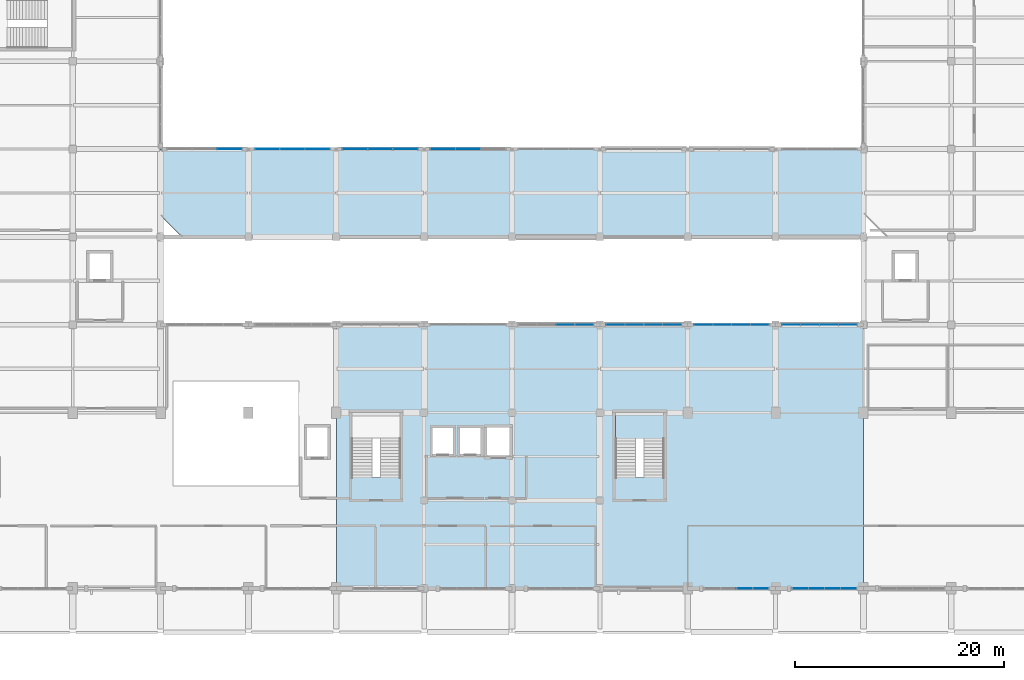
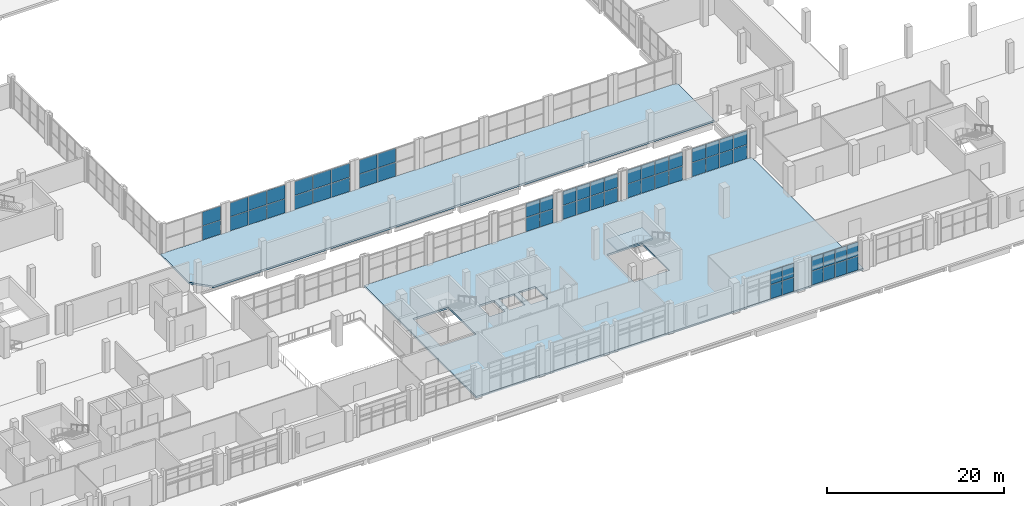
# One storey, part 42 of 59: 58 plates, 3 slabs, 11 elements without a shape of their own.
"""IFC4 building model written with IfcOpenShell, lengths in metres."""

from ifc_helpers import new_model, si_unit, derived_unit, direction, frame, origin, origin_2d, place, context, subcontext, project, spatial, polyline, rectangle, outline, extrude, material, layer, layer_set, type_object, element, aggregate, save


model = new_model("IFC4")

# Units and contexts
model_context = context("Model", 3, precision=1e-05, world=origin(), true_north=direction((0.0, 1.0)))
body_context = subcontext(model_context, "Body", "Model", "MODEL_VIEW")
ifc_project = project(units=[si_unit("LENGTHUNIT", "METRE"), si_unit("AREAUNIT", "SQUARE_METRE"), si_unit("VOLUMEUNIT", "CUBIC_METRE"), si_unit("PLANEANGLEUNIT", "RADIAN"), si_unit("MASSUNIT", "GRAM", prefix="KILO"), derived_unit("THERMALTRANSMITTANCEUNIT", [(si_unit("POWERUNIT", "WATT"), 1), (si_unit("LENGTHUNIT", "METRE"), -2), (si_unit("THERMODYNAMICTEMPERATUREUNIT", "KELVIN"), -1)])], contexts=[model_context])

# Site, building, storey
site_placement = place(None, origin())
site = spatial("IfcSite", under=ifc_project, at=site_placement, CompositionType="ELEMENT")
building_placement = place(site_placement, origin())
building = spatial("IfcBuilding", under=site, at=building_placement, Name="Barrovel Congress Hotel", CompositionType="ELEMENT")
storey_placement = place(building_placement, frame((0.0, 0.0, 9.89990234375)))
storey = spatial("IfcBuildingStorey", under=building, at=storey_placement, Name="L02", CompositionType="ELEMENT", Elevation=9.89990234375)

# Curtain wall, plates
ifc_material_1 = material(Name="Anodised Aluminium Alloy 6063-T6", Category="aluminium")
curtain_wall_type = type_object("IfcCurtainWallType", Name="CW-ST-7200x3600", PredefinedType="USERDEFINED", material=ifc_material_1)
curtain_wall_1_placement = place(storey_placement, origin())
curtain_wall_1 = element("IfcCurtainWall", 1, at=curtain_wall_1_placement, inside=storey, type_object=curtain_wall_type, Name="CW:L02:S:13", ObjectType="STICK CURTAIN WALL", PredefinedType="USERDEFINED")
ifc_material_2 = material(Name="Double Low-E Insulated Glazing", Category="glass")
ifc_layer_1 = layer(ifc_material_2, 0.028076171875)
ifc_layer_set_1 = layer_set([ifc_layer_1], Name="Double Low-E Insulated Glazing")
plate_type_1 = type_object("IfcPlateType", Name="CWP-28", PredefinedType="CURTAIN_PANEL", material=ifc_layer_set_1)
plate_1_placement = place(storey_placement, frame((114.64501953125, 4.199951171875, 0.030029296875), z_axis=(0.0, 0.0, 1.0), x_axis=(1.0, 0.0, 0.0)))
plate_1 = element("IfcPlate", 2, at=plate_1_placement, type_object=plate_type_1, Name="CW:L02:S:13:P2-0", PredefinedType="CURTAIN_PANEL", context=body_context, shape_type="SweptSolid", body=[
    extrude(rectangle(XDim=1.469970703125, YDim=0.028076171875, at=origin_2d()), origin(), (0.0, 0.0, 1.0), 1.89990234375),
])
plate_2_placement = place(storey_placement, frame((114.64501953125, 4.199951171875, 1.990234375), z_axis=(0.0, 0.0, 1.0), x_axis=(1.0, 0.0, 0.0)))
plate_2 = element("IfcPlate", 3, at=plate_2_placement, type_object=plate_type_1, Name="CW:L02:S:13:P2-1", PredefinedType="CURTAIN_PANEL", context=body_context, shape_type="SweptSolid", body=[
    extrude(rectangle(XDim=1.469970703125, YDim=0.028076171875, at=origin_2d()), origin(), (0.0, 0.0, 1.0), 1.89990234375),
])
plate_3_placement = place(storey_placement, frame((116.175048828125, 4.199951171875, 0.030029296875), z_axis=(0.0, 0.0, 1.0), x_axis=(1.0, 0.0, 0.0)))
plate_3 = element("IfcPlate", 4, at=plate_3_placement, type_object=plate_type_1, Name="CW:L02:S:13:P3-0", PredefinedType="CURTAIN_PANEL", context=body_context, shape_type="SweptSolid", body=[
    extrude(rectangle(XDim=1.469970703125, YDim=0.028076171875, at=origin_2d()), origin(), (0.0, 0.0, 1.0), 1.89990234375),
])
plate_4_placement = place(storey_placement, frame((116.175048828125, 4.199951171875, 1.990234375), z_axis=(0.0, 0.0, 1.0), x_axis=(1.0, 0.0, 0.0)))
plate_4 = element("IfcPlate", 5, at=plate_4_placement, type_object=plate_type_1, Name="CW:L02:S:13:P3-1", PredefinedType="CURTAIN_PANEL", context=body_context, shape_type="SweptSolid", body=[
    extrude(rectangle(XDim=1.469970703125, YDim=0.028076171875, at=origin_2d()), origin(), (0.0, 0.0, 1.0), 1.89990234375),
])
aggregate(curtain_wall_1, [plate_1, plate_2, plate_3, plate_4])

curtain_wall_2_placement = place(storey_placement, origin())
curtain_wall_2 = element("IfcCurtainWall", 6, at=curtain_wall_2_placement, inside=storey, type_object=curtain_wall_type, Name="CW:L02:CS:14", ObjectType="STICK CURTAIN WALL", PredefinedType="USERDEFINED")
plate_5_placement = place(storey_placement, frame((124.5, 29.39990234375, 0.030029296875), z_axis=(0.0, 0.0, 1.0), x_axis=(-1.0, 0.0, 0.0)))
plate_5 = element("IfcPlate", 7, at=plate_5_placement, type_object=plate_type_1, Name="CW:L02:CS:14:P0-0", PredefinedType="CURTAIN_PANEL", context=body_context, shape_type="SweptSolid", body=[
    extrude(rectangle(XDim=1.739990234375, YDim=0.028076171875, at=origin_2d()), origin(), (0.0, 0.0, 1.0), 1.89990234375),
])
plate_6_placement = place(storey_placement, frame((124.5, 29.39990234375, 1.990234375), z_axis=(0.0, 0.0, 1.0), x_axis=(-1.0, 0.0, 0.0)))
plate_6 = element("IfcPlate", 8, at=plate_6_placement, type_object=plate_type_1, Name="CW:L02:CS:14:P0-1", PredefinedType="CURTAIN_PANEL", context=body_context, shape_type="SweptSolid", body=[
    extrude(rectangle(XDim=1.739990234375, YDim=0.028076171875, at=origin_2d()), origin(), (0.0, 0.0, 1.0), 1.89990234375),
])
plate_7_placement = place(storey_placement, frame((122.699951171875, 29.39990234375, 0.030029296875), z_axis=(0.0, 0.0, 1.0), x_axis=(-1.0, 0.0, 0.0)))
plate_7 = element("IfcPlate", 9, at=plate_7_placement, type_object=plate_type_1, Name="CW:L02:CS:14:P1-0", PredefinedType="CURTAIN_PANEL", context=body_context, shape_type="SweptSolid", body=[
    extrude(rectangle(XDim=1.739990234375, YDim=0.028076171875, at=origin_2d()), origin(), (0.0, 0.0, 1.0), 1.89990234375),
])
plate_8_placement = place(storey_placement, frame((122.699951171875, 29.39990234375, 1.990234375), z_axis=(0.0, 0.0, 1.0), x_axis=(-1.0, 0.0, 0.0)))
plate_8 = element("IfcPlate", 10, at=plate_8_placement, type_object=plate_type_1, Name="CW:L02:CS:14:P1-1", PredefinedType="CURTAIN_PANEL", context=body_context, shape_type="SweptSolid", body=[
    extrude(rectangle(XDim=1.739990234375, YDim=0.028076171875, at=origin_2d()), origin(), (0.0, 0.0, 1.0), 1.89990234375),
])
plate_9_placement = place(storey_placement, frame((120.89990234375, 29.39990234375, 0.030029296875), z_axis=(0.0, 0.0, 1.0), x_axis=(-1.0, 0.0, 0.0)))
plate_9 = element("IfcPlate", 11, at=plate_9_placement, type_object=plate_type_1, Name="CW:L02:CS:14:P2-0", PredefinedType="CURTAIN_PANEL", context=body_context, shape_type="SweptSolid", body=[
    extrude(rectangle(XDim=1.739990234375, YDim=0.028076171875, at=origin_2d()), origin(), (0.0, 0.0, 1.0), 1.89990234375),
])
plate_10_placement = place(storey_placement, frame((120.89990234375, 29.39990234375, 1.990234375), z_axis=(0.0, 0.0, 1.0), x_axis=(-1.0, 0.0, 0.0)))
plate_10 = element("IfcPlate", 12, at=plate_10_placement, type_object=plate_type_1, Name="CW:L02:CS:14:P2-1", PredefinedType="CURTAIN_PANEL", context=body_context, shape_type="SweptSolid", body=[
    extrude(rectangle(XDim=1.739990234375, YDim=0.028076171875, at=origin_2d()), origin(), (0.0, 0.0, 1.0), 1.89990234375),
])
plate_11_placement = place(storey_placement, frame((119.10009765625, 29.39990234375, 0.030029296875), z_axis=(0.0, 0.0, 1.0), x_axis=(-1.0, 0.0, 0.0)))
plate_11 = element("IfcPlate", 13, at=plate_11_placement, type_object=plate_type_1, Name="CW:L02:CS:14:P3-0", PredefinedType="CURTAIN_PANEL", context=body_context, shape_type="SweptSolid", body=[
    extrude(rectangle(XDim=1.739990234375, YDim=0.028076171875, at=origin_2d()), origin(), (0.0, 0.0, 1.0), 1.89990234375),
])
plate_12_placement = place(storey_placement, frame((119.10009765625, 29.39990234375, 1.990234375), z_axis=(0.0, 0.0, 1.0), x_axis=(-1.0, 0.0, 0.0)))
plate_12 = element("IfcPlate", 14, at=plate_12_placement, type_object=plate_type_1, Name="CW:L02:CS:14:P3-1", PredefinedType="CURTAIN_PANEL", context=body_context, shape_type="SweptSolid", body=[
    extrude(rectangle(XDim=1.739990234375, YDim=0.028076171875, at=origin_2d()), origin(), (0.0, 0.0, 1.0), 1.89990234375),
])
aggregate(curtain_wall_2, [plate_5, plate_6, plate_7, plate_8, plate_9, plate_10, plate_11, plate_12])

curtain_wall_3_placement = place(storey_placement, origin())
curtain_wall_3 = element("IfcCurtainWall", 15, at=curtain_wall_3_placement, inside=storey, type_object=curtain_wall_type, Name="CW:L02:CS:12", ObjectType="STICK CURTAIN WALL", PredefinedType="USERDEFINED")
plate_13_placement = place(storey_placement, frame((107.699951171875, 29.39990234375, 0.030029296875), z_axis=(0.0, 0.0, 1.0), x_axis=(-1.0, 0.0, 0.0)))
plate_13 = element("IfcPlate", 16, at=plate_13_placement, type_object=plate_type_1, Name="CW:L02:CS:12:P0-0", PredefinedType="CURTAIN_PANEL", context=body_context, shape_type="SweptSolid", body=[
    extrude(rectangle(XDim=1.739990234375, YDim=0.028076171875, at=origin_2d()), origin(), (0.0, 0.0, 1.0), 1.89990234375),
])
plate_14_placement = place(storey_placement, frame((107.699951171875, 29.39990234375, 1.990234375), z_axis=(0.0, 0.0, 1.0), x_axis=(-1.0, 0.0, 0.0)))
plate_14 = element("IfcPlate", 17, at=plate_14_placement, type_object=plate_type_1, Name="CW:L02:CS:12:P0-1", PredefinedType="CURTAIN_PANEL", context=body_context, shape_type="SweptSolid", body=[
    extrude(rectangle(XDim=1.739990234375, YDim=0.028076171875, at=origin_2d()), origin(), (0.0, 0.0, 1.0), 1.89990234375),
])
plate_15_placement = place(storey_placement, frame((105.89990234375, 29.39990234375, 0.030029296875), z_axis=(0.0, 0.0, 1.0), x_axis=(-1.0, 0.0, 0.0)))
plate_15 = element("IfcPlate", 18, at=plate_15_placement, type_object=plate_type_1, Name="CW:L02:CS:12:P1-0", PredefinedType="CURTAIN_PANEL", context=body_context, shape_type="SweptSolid", body=[
    extrude(rectangle(XDim=1.739990234375, YDim=0.028076171875, at=origin_2d()), origin(), (0.0, 0.0, 1.0), 1.89990234375),
])
plate_16_placement = place(storey_placement, frame((105.89990234375, 29.39990234375, 1.990234375), z_axis=(0.0, 0.0, 1.0), x_axis=(-1.0, 0.0, 0.0)))
plate_16 = element("IfcPlate", 19, at=plate_16_placement, type_object=plate_type_1, Name="CW:L02:CS:12:P1-1", PredefinedType="CURTAIN_PANEL", context=body_context, shape_type="SweptSolid", body=[
    extrude(rectangle(XDim=1.739990234375, YDim=0.028076171875, at=origin_2d()), origin(), (0.0, 0.0, 1.0), 1.89990234375),
])
plate_17_placement = place(storey_placement, frame((104.10009765625, 29.39990234375, 0.030029296875), z_axis=(0.0, 0.0, 1.0), x_axis=(-1.0, 0.0, 0.0)))
plate_17 = element("IfcPlate", 20, at=plate_17_placement, type_object=plate_type_1, Name="CW:L02:CS:12:P2-0", PredefinedType="CURTAIN_PANEL", context=body_context, shape_type="SweptSolid", body=[
    extrude(rectangle(XDim=1.739990234375, YDim=0.028076171875, at=origin_2d()), origin(), (0.0, 0.0, 1.0), 1.89990234375),
])
plate_18_placement = place(storey_placement, frame((104.10009765625, 29.39990234375, 1.990234375), z_axis=(0.0, 0.0, 1.0), x_axis=(-1.0, 0.0, 0.0)))
plate_18 = element("IfcPlate", 21, at=plate_18_placement, type_object=plate_type_1, Name="CW:L02:CS:12:P2-1", PredefinedType="CURTAIN_PANEL", context=body_context, shape_type="SweptSolid", body=[
    extrude(rectangle(XDim=1.739990234375, YDim=0.028076171875, at=origin_2d()), origin(), (0.0, 0.0, 1.0), 1.89990234375),
])
plate_19_placement = place(storey_placement, frame((102.300048828125, 29.39990234375, 0.030029296875), z_axis=(0.0, 0.0, 1.0), x_axis=(-1.0, 0.0, 0.0)))
plate_19 = element("IfcPlate", 22, at=plate_19_placement, type_object=plate_type_1, Name="CW:L02:CS:12:P3-0", PredefinedType="CURTAIN_PANEL", context=body_context, shape_type="SweptSolid", body=[
    extrude(rectangle(XDim=1.739990234375, YDim=0.028076171875, at=origin_2d()), origin(), (0.0, 0.0, 1.0), 1.89990234375),
])
plate_20_placement = place(storey_placement, frame((102.300048828125, 29.39990234375, 1.990234375), z_axis=(0.0, 0.0, 1.0), x_axis=(-1.0, 0.0, 0.0)))
plate_20 = element("IfcPlate", 23, at=plate_20_placement, type_object=plate_type_1, Name="CW:L02:CS:12:P3-1", PredefinedType="CURTAIN_PANEL", context=body_context, shape_type="SweptSolid", body=[
    extrude(rectangle(XDim=1.739990234375, YDim=0.028076171875, at=origin_2d()), origin(), (0.0, 0.0, 1.0), 1.89990234375),
])
aggregate(curtain_wall_3, [plate_13, plate_14, plate_15, plate_16, plate_17, plate_18, plate_19, plate_20])

curtain_wall_4_placement = place(storey_placement, origin())
curtain_wall_4 = element("IfcCurtainWall", 24, at=curtain_wall_4_placement, inside=storey, type_object=curtain_wall_type, Name="CW:L02:CL:07", ObjectType="STICK CURTAIN WALL", PredefinedType="USERDEFINED")
plate_21_placement = place(storey_placement, frame((65.39990234375, 46.199951171875, 0.030029296875), z_axis=(0.0, 0.0, 1.0), x_axis=(-1.0, 0.0, 0.0)))
plate_21 = element("IfcPlate", 25, at=plate_21_placement, type_object=plate_type_1, Name="CW:L02:CL:07:P0-0", PredefinedType="CURTAIN_PANEL", context=body_context, shape_type="SweptSolid", body=[
    extrude(rectangle(XDim=2.340087890625, YDim=0.028076171875, at=origin_2d()), origin(), (0.0, 0.0, 1.0), 1.89990234375),
])
plate_22_placement = place(storey_placement, frame((65.39990234375, 46.199951171875, 1.990234375), z_axis=(0.0, 0.0, 1.0), x_axis=(-1.0, 0.0, 0.0)))
plate_22 = element("IfcPlate", 26, at=plate_22_placement, type_object=plate_type_1, Name="CW:L02:CL:07:P0-1", PredefinedType="CURTAIN_PANEL", context=body_context, shape_type="SweptSolid", body=[
    extrude(rectangle(XDim=2.340087890625, YDim=0.028076171875, at=origin_2d()), origin(), (0.0, 0.0, 1.0), 1.89990234375),
])
aggregate(curtain_wall_4, [plate_21, plate_22])

curtain_wall_5_placement = place(storey_placement, origin())
curtain_wall_5 = element("IfcCurtainWall", 27, at=curtain_wall_5_placement, inside=storey, type_object=curtain_wall_type, Name="CW:L02:CL:09", ObjectType="STICK CURTAIN WALL", PredefinedType="USERDEFINED")
plate_23_placement = place(storey_placement, frame((82.199951171875, 46.199951171875, 0.030029296875), z_axis=(0.0, 0.0, 1.0), x_axis=(-1.0, 0.0, 0.0)))
plate_23 = element("IfcPlate", 28, at=plate_23_placement, type_object=plate_type_1, Name="CW:L02:CL:09:P0-0", PredefinedType="CURTAIN_PANEL", context=body_context, shape_type="SweptSolid", body=[
    extrude(rectangle(XDim=2.340087890625, YDim=0.028076171875, at=origin_2d()), origin(), (0.0, 0.0, 1.0), 1.89990234375),
])
plate_24_placement = place(storey_placement, frame((82.199951171875, 46.199951171875, 1.990234375), z_axis=(0.0, 0.0, 1.0), x_axis=(-1.0, 0.0, 0.0)))
plate_24 = element("IfcPlate", 29, at=plate_24_placement, type_object=plate_type_1, Name="CW:L02:CL:09:P0-1", PredefinedType="CURTAIN_PANEL", context=body_context, shape_type="SweptSolid", body=[
    extrude(rectangle(XDim=2.340087890625, YDim=0.028076171875, at=origin_2d()), origin(), (0.0, 0.0, 1.0), 1.89990234375),
])
plate_25_placement = place(storey_placement, frame((79.800048828125, 46.199951171875, 0.030029296875), z_axis=(0.0, 0.0, 1.0), x_axis=(-1.0, 0.0, 0.0)))
plate_25 = element("IfcPlate", 30, at=plate_25_placement, type_object=plate_type_1, Name="CW:L02:CL:09:P1-0", PredefinedType="CURTAIN_PANEL", context=body_context, shape_type="SweptSolid", body=[
    extrude(rectangle(XDim=2.340087890625, YDim=0.028076171875, at=origin_2d()), origin(), (0.0, 0.0, 1.0), 1.89990234375),
])
plate_26_placement = place(storey_placement, frame((79.800048828125, 46.199951171875, 1.990234375), z_axis=(0.0, 0.0, 1.0), x_axis=(-1.0, 0.0, 0.0)))
plate_26 = element("IfcPlate", 31, at=plate_26_placement, type_object=plate_type_1, Name="CW:L02:CL:09:P1-1", PredefinedType="CURTAIN_PANEL", context=body_context, shape_type="SweptSolid", body=[
    extrude(rectangle(XDim=2.340087890625, YDim=0.028076171875, at=origin_2d()), origin(), (0.0, 0.0, 1.0), 1.89990234375),
])
plate_27_placement = place(storey_placement, frame((77.39990234375, 46.199951171875, 0.030029296875), z_axis=(0.0, 0.0, 1.0), x_axis=(-1.0, 0.0, 0.0)))
plate_27 = element("IfcPlate", 32, at=plate_27_placement, type_object=plate_type_1, Name="CW:L02:CL:09:P2-0", PredefinedType="CURTAIN_PANEL", context=body_context, shape_type="SweptSolid", body=[
    extrude(rectangle(XDim=2.340087890625, YDim=0.028076171875, at=origin_2d()), origin(), (0.0, 0.0, 1.0), 1.89990234375),
])
plate_28_placement = place(storey_placement, frame((77.39990234375, 46.199951171875, 1.990234375), z_axis=(0.0, 0.0, 1.0), x_axis=(-1.0, 0.0, 0.0)))
plate_28 = element("IfcPlate", 33, at=plate_28_placement, type_object=plate_type_1, Name="CW:L02:CL:09:P2-1", PredefinedType="CURTAIN_PANEL", context=body_context, shape_type="SweptSolid", body=[
    extrude(rectangle(XDim=2.340087890625, YDim=0.028076171875, at=origin_2d()), origin(), (0.0, 0.0, 1.0), 1.89990234375),
])
aggregate(curtain_wall_5, [plate_23, plate_24, plate_25, plate_26, plate_27, plate_28])

curtain_wall_6_placement = place(storey_placement, origin())
curtain_wall_6 = element("IfcCurtainWall", 34, at=curtain_wall_6_placement, inside=storey, type_object=curtain_wall_type, Name="CW:L02:S:14", ObjectType="STICK CURTAIN WALL", PredefinedType="USERDEFINED")
ifc_layer_2 = layer(ifc_material_2, 0.031982421875)
ifc_layer_set_2 = layer_set([ifc_layer_2], Name="Double Low-E Insulated Glazing")
plate_type_2 = type_object("IfcPlateType", Name="CWP-32", PredefinedType="CURTAIN_PANEL", material=ifc_layer_set_2)
plate_29_placement = place(storey_placement, frame((119.985107421875, 4.199951171875, 0.030029296875), z_axis=(0.0, 0.0, 1.0), x_axis=(1.0, 0.0, 0.0)))
plate_29 = element("IfcPlate", 35, at=plate_29_placement, type_object=plate_type_2, Name="CW:L02:S:14:P0-0", PredefinedType="CURTAIN_PANEL", context=body_context, shape_type="SweptSolid", body=[
    extrude(rectangle(XDim=1.469970703125, YDim=0.031982421875, at=origin_2d()), origin(), (0.0, 0.0, 1.0), 1.89990234375),
])
plate_30_placement = place(storey_placement, frame((119.985107421875, 4.199951171875, 1.990234375), z_axis=(0.0, 0.0, 1.0), x_axis=(1.0, 0.0, 0.0)))
plate_30 = element("IfcPlate", 36, at=plate_30_placement, type_object=plate_type_2, Name="CW:L02:S:14:P0-1", PredefinedType="CURTAIN_PANEL", context=body_context, shape_type="SweptSolid", body=[
    extrude(rectangle(XDim=1.469970703125, YDim=0.031982421875, at=origin_2d()), origin(), (0.0, 0.0, 1.0), 1.89990234375),
])
plate_31_placement = place(storey_placement, frame((121.514892578125, 4.199951171875, 0.030029296875), z_axis=(0.0, 0.0, 1.0), x_axis=(1.0, 0.0, 0.0)))
plate_31 = element("IfcPlate", 37, at=plate_31_placement, type_object=plate_type_2, Name="CW:L02:S:14:P1-0", PredefinedType="CURTAIN_PANEL", context=body_context, shape_type="SweptSolid", body=[
    extrude(rectangle(XDim=1.469970703125, YDim=0.031982421875, at=origin_2d()), origin(), (0.0, 0.0, 1.0), 1.89990234375),
])
plate_32_placement = place(storey_placement, frame((121.514892578125, 4.199951171875, 1.990234375), z_axis=(0.0, 0.0, 1.0), x_axis=(1.0, 0.0, 0.0)))
plate_32 = element("IfcPlate", 38, at=plate_32_placement, type_object=plate_type_2, Name="CW:L02:S:14:P1-1", PredefinedType="CURTAIN_PANEL", context=body_context, shape_type="SweptSolid", body=[
    extrude(rectangle(XDim=1.469970703125, YDim=0.031982421875, at=origin_2d()), origin(), (0.0, 0.0, 1.0), 1.89990234375),
])
plate_33_placement = place(storey_placement, frame((123.044921875, 4.199951171875, 0.030029296875), z_axis=(0.0, 0.0, 1.0), x_axis=(1.0, 0.0, 0.0)))
plate_33 = element("IfcPlate", 39, at=plate_33_placement, type_object=plate_type_2, Name="CW:L02:S:14:P2-0", PredefinedType="CURTAIN_PANEL", context=body_context, shape_type="SweptSolid", body=[
    extrude(rectangle(XDim=1.469970703125, YDim=0.031982421875, at=origin_2d()), origin(), (0.0, 0.0, 1.0), 1.89990234375),
])
plate_34_placement = place(storey_placement, frame((123.044921875, 4.199951171875, 1.990234375), z_axis=(0.0, 0.0, 1.0), x_axis=(1.0, 0.0, 0.0)))
plate_34 = element("IfcPlate", 40, at=plate_34_placement, type_object=plate_type_2, Name="CW:L02:S:14:P2-1", PredefinedType="CURTAIN_PANEL", context=body_context, shape_type="SweptSolid", body=[
    extrude(rectangle(XDim=1.469970703125, YDim=0.031982421875, at=origin_2d()), origin(), (0.0, 0.0, 1.0), 1.89990234375),
])
plate_35_placement = place(storey_placement, frame((124.574951171875, 4.199951171875, 0.030029296875), z_axis=(0.0, 0.0, 1.0), x_axis=(1.0, 0.0, 0.0)))
plate_35 = element("IfcPlate", 41, at=plate_35_placement, type_object=plate_type_2, Name="CW:L02:S:14:P3-0", PredefinedType="CURTAIN_PANEL", context=body_context, shape_type="SweptSolid", body=[
    extrude(rectangle(XDim=1.469970703125, YDim=0.031982421875, at=origin_2d()), origin(), (0.0, 0.0, 1.0), 1.89990234375),
])
plate_36_placement = place(storey_placement, frame((124.574951171875, 4.199951171875, 1.990234375), z_axis=(0.0, 0.0, 1.0), x_axis=(1.0, 0.0, 0.0)))
plate_36 = element("IfcPlate", 42, at=plate_36_placement, type_object=plate_type_2, Name="CW:L02:S:14:P3-1", PredefinedType="CURTAIN_PANEL", context=body_context, shape_type="SweptSolid", body=[
    extrude(rectangle(XDim=1.469970703125, YDim=0.031982421875, at=origin_2d()), origin(), (0.0, 0.0, 1.0), 1.89990234375),
])
aggregate(curtain_wall_6, [plate_29, plate_30, plate_31, plate_32, plate_33, plate_34, plate_35, plate_36])

curtain_wall_7_placement = place(storey_placement, origin())
curtain_wall_7 = element("IfcCurtainWall", 43, at=curtain_wall_7_placement, inside=storey, type_object=curtain_wall_type, Name="CW:L02:CS:13", ObjectType="STICK CURTAIN WALL", PredefinedType="USERDEFINED")
plate_37_placement = place(storey_placement, frame((116.10009765625, 29.39990234375, 0.030029296875), z_axis=(0.0, 0.0, 1.0), x_axis=(-1.0, 0.0, 0.0)))
plate_37 = element("IfcPlate", 44, at=plate_37_placement, type_object=plate_type_2, Name="CW:L02:CS:13:P0-0", PredefinedType="CURTAIN_PANEL", context=body_context, shape_type="SweptSolid", body=[
    extrude(rectangle(XDim=1.739990234375, YDim=0.031982421875, at=origin_2d()), origin(), (0.0, 0.0, 1.0), 1.89990234375),
])
plate_38_placement = place(storey_placement, frame((116.10009765625, 29.39990234375, 1.990234375), z_axis=(0.0, 0.0, 1.0), x_axis=(-1.0, 0.0, 0.0)))
plate_38 = element("IfcPlate", 45, at=plate_38_placement, type_object=plate_type_2, Name="CW:L02:CS:13:P0-1", PredefinedType="CURTAIN_PANEL", context=body_context, shape_type="SweptSolid", body=[
    extrude(rectangle(XDim=1.739990234375, YDim=0.031982421875, at=origin_2d()), origin(), (0.0, 0.0, 1.0), 1.89990234375),
])
plate_39_placement = place(storey_placement, frame((114.300048828125, 29.39990234375, 0.030029296875), z_axis=(0.0, 0.0, 1.0), x_axis=(-1.0, 0.0, 0.0)))
plate_39 = element("IfcPlate", 46, at=plate_39_placement, type_object=plate_type_2, Name="CW:L02:CS:13:P1-0", PredefinedType="CURTAIN_PANEL", context=body_context, shape_type="SweptSolid", body=[
    extrude(rectangle(XDim=1.739990234375, YDim=0.031982421875, at=origin_2d()), origin(), (0.0, 0.0, 1.0), 1.89990234375),
])
plate_40_placement = place(storey_placement, frame((114.300048828125, 29.39990234375, 1.990234375), z_axis=(0.0, 0.0, 1.0), x_axis=(-1.0, 0.0, 0.0)))
plate_40 = element("IfcPlate", 47, at=plate_40_placement, type_object=plate_type_2, Name="CW:L02:CS:13:P1-1", PredefinedType="CURTAIN_PANEL", context=body_context, shape_type="SweptSolid", body=[
    extrude(rectangle(XDim=1.739990234375, YDim=0.031982421875, at=origin_2d()), origin(), (0.0, 0.0, 1.0), 1.89990234375),
])
plate_41_placement = place(storey_placement, frame((112.5, 29.39990234375, 0.030029296875), z_axis=(0.0, 0.0, 1.0), x_axis=(-1.0, 0.0, 0.0)))
plate_41 = element("IfcPlate", 48, at=plate_41_placement, type_object=plate_type_2, Name="CW:L02:CS:13:P2-0", PredefinedType="CURTAIN_PANEL", context=body_context, shape_type="SweptSolid", body=[
    extrude(rectangle(XDim=1.739990234375, YDim=0.031982421875, at=origin_2d()), origin(), (0.0, 0.0, 1.0), 1.89990234375),
])
plate_42_placement = place(storey_placement, frame((112.5, 29.39990234375, 1.990234375), z_axis=(0.0, 0.0, 1.0), x_axis=(-1.0, 0.0, 0.0)))
plate_42 = element("IfcPlate", 49, at=plate_42_placement, type_object=plate_type_2, Name="CW:L02:CS:13:P2-1", PredefinedType="CURTAIN_PANEL", context=body_context, shape_type="SweptSolid", body=[
    extrude(rectangle(XDim=1.739990234375, YDim=0.031982421875, at=origin_2d()), origin(), (0.0, 0.0, 1.0), 1.89990234375),
])
plate_43_placement = place(storey_placement, frame((110.699951171875, 29.39990234375, 0.030029296875), z_axis=(0.0, 0.0, 1.0), x_axis=(-1.0, 0.0, 0.0)))
plate_43 = element("IfcPlate", 50, at=plate_43_placement, type_object=plate_type_2, Name="CW:L02:CS:13:P3-0", PredefinedType="CURTAIN_PANEL", context=body_context, shape_type="SweptSolid", body=[
    extrude(rectangle(XDim=1.739990234375, YDim=0.031982421875, at=origin_2d()), origin(), (0.0, 0.0, 1.0), 1.89990234375),
])
plate_44_placement = place(storey_placement, frame((110.699951171875, 29.39990234375, 1.990234375), z_axis=(0.0, 0.0, 1.0), x_axis=(-1.0, 0.0, 0.0)))
plate_44 = element("IfcPlate", 51, at=plate_44_placement, type_object=plate_type_2, Name="CW:L02:CS:13:P3-1", PredefinedType="CURTAIN_PANEL", context=body_context, shape_type="SweptSolid", body=[
    extrude(rectangle(XDim=1.739990234375, YDim=0.031982421875, at=origin_2d()), origin(), (0.0, 0.0, 1.0), 1.89990234375),
])
aggregate(curtain_wall_7, [plate_37, plate_38, plate_39, plate_40, plate_41, plate_42, plate_43, plate_44])

curtain_wall_8_placement = place(storey_placement, origin())
curtain_wall_8 = element("IfcCurtainWall", 52, at=curtain_wall_8_placement, inside=storey, type_object=curtain_wall_type, Name="CW:L02:CS:11", ObjectType="STICK CURTAIN WALL", PredefinedType="USERDEFINED")
plate_45_placement = place(storey_placement, frame((99.300048828125, 29.39990234375, 0.030029296875), z_axis=(0.0, 0.0, 1.0), x_axis=(-1.0, 0.0, 0.0)))
plate_45 = element("IfcPlate", 53, at=plate_45_placement, type_object=plate_type_2, Name="CW:L02:CS:11:P0-0", PredefinedType="CURTAIN_PANEL", context=body_context, shape_type="SweptSolid", body=[
    extrude(rectangle(XDim=1.739990234375, YDim=0.031982421875, at=origin_2d()), origin(), (0.0, 0.0, 1.0), 1.89990234375),
])
plate_46_placement = place(storey_placement, frame((99.300048828125, 29.39990234375, 1.990234375), z_axis=(0.0, 0.0, 1.0), x_axis=(-1.0, 0.0, 0.0)))
plate_46 = element("IfcPlate", 54, at=plate_46_placement, type_object=plate_type_2, Name="CW:L02:CS:11:P0-1", PredefinedType="CURTAIN_PANEL", context=body_context, shape_type="SweptSolid", body=[
    extrude(rectangle(XDim=1.739990234375, YDim=0.031982421875, at=origin_2d()), origin(), (0.0, 0.0, 1.0), 1.89990234375),
])
plate_47_placement = place(storey_placement, frame((97.5, 29.39990234375, 0.030029296875), z_axis=(0.0, 0.0, 1.0), x_axis=(-1.0, 0.0, 0.0)))
plate_47 = element("IfcPlate", 55, at=plate_47_placement, type_object=plate_type_2, Name="CW:L02:CS:11:P1-0", PredefinedType="CURTAIN_PANEL", context=body_context, shape_type="SweptSolid", body=[
    extrude(rectangle(XDim=1.739990234375, YDim=0.031982421875, at=origin_2d()), origin(), (0.0, 0.0, 1.0), 1.89990234375),
])
plate_48_placement = place(storey_placement, frame((97.5, 29.39990234375, 1.990234375), z_axis=(0.0, 0.0, 1.0), x_axis=(-1.0, 0.0, 0.0)))
plate_48 = element("IfcPlate", 56, at=plate_48_placement, type_object=plate_type_2, Name="CW:L02:CS:11:P1-1", PredefinedType="CURTAIN_PANEL", context=body_context, shape_type="SweptSolid", body=[
    extrude(rectangle(XDim=1.739990234375, YDim=0.031982421875, at=origin_2d()), origin(), (0.0, 0.0, 1.0), 1.89990234375),
])
aggregate(curtain_wall_8, [plate_45, plate_46, plate_47, plate_48])

curtain_wall_9_placement = place(storey_placement, origin())
curtain_wall_9 = element("IfcCurtainWall", 57, at=curtain_wall_9_placement, inside=storey, type_object=curtain_wall_type, Name="CW:L02:CL:08", ObjectType="STICK CURTAIN WALL", PredefinedType="USERDEFINED")
plate_49_placement = place(storey_placement, frame((73.800048828125, 46.199951171875, 0.030029296875), z_axis=(0.0, 0.0, 1.0), x_axis=(-1.0, 0.0, 0.0)))
plate_49 = element("IfcPlate", 58, at=plate_49_placement, type_object=plate_type_2, Name="CW:L02:CL:08:P0-0", PredefinedType="CURTAIN_PANEL", context=body_context, shape_type="SweptSolid", body=[
    extrude(rectangle(XDim=2.340087890625, YDim=0.031982421875, at=origin_2d()), origin(), (0.0, 0.0, 1.0), 1.89990234375),
])
plate_50_placement = place(storey_placement, frame((73.800048828125, 46.199951171875, 1.990234375), z_axis=(0.0, 0.0, 1.0), x_axis=(-1.0, 0.0, 0.0)))
plate_50 = element("IfcPlate", 59, at=plate_50_placement, type_object=plate_type_2, Name="CW:L02:CL:08:P0-1", PredefinedType="CURTAIN_PANEL", context=body_context, shape_type="SweptSolid", body=[
    extrude(rectangle(XDim=2.340087890625, YDim=0.031982421875, at=origin_2d()), origin(), (0.0, 0.0, 1.0), 1.89990234375),
])
plate_51_placement = place(storey_placement, frame((71.39990234375, 46.199951171875, 0.030029296875), z_axis=(0.0, 0.0, 1.0), x_axis=(-1.0, 0.0, 0.0)))
plate_51 = element("IfcPlate", 60, at=plate_51_placement, type_object=plate_type_2, Name="CW:L02:CL:08:P1-0", PredefinedType="CURTAIN_PANEL", context=body_context, shape_type="SweptSolid", body=[
    extrude(rectangle(XDim=2.340087890625, YDim=0.031982421875, at=origin_2d()), origin(), (0.0, 0.0, 1.0), 1.89990234375),
])
plate_52_placement = place(storey_placement, frame((71.39990234375, 46.199951171875, 1.990234375), z_axis=(0.0, 0.0, 1.0), x_axis=(-1.0, 0.0, 0.0)))
plate_52 = element("IfcPlate", 61, at=plate_52_placement, type_object=plate_type_2, Name="CW:L02:CL:08:P1-1", PredefinedType="CURTAIN_PANEL", context=body_context, shape_type="SweptSolid", body=[
    extrude(rectangle(XDim=2.340087890625, YDim=0.031982421875, at=origin_2d()), origin(), (0.0, 0.0, 1.0), 1.89990234375),
])
plate_53_placement = place(storey_placement, frame((69.0, 46.199951171875, 0.030029296875), z_axis=(0.0, 0.0, 1.0), x_axis=(-1.0, 0.0, 0.0)))
plate_53 = element("IfcPlate", 62, at=plate_53_placement, type_object=plate_type_2, Name="CW:L02:CL:08:P2-0", PredefinedType="CURTAIN_PANEL", context=body_context, shape_type="SweptSolid", body=[
    extrude(rectangle(XDim=2.340087890625, YDim=0.031982421875, at=origin_2d()), origin(), (0.0, 0.0, 1.0), 1.89990234375),
])
plate_54_placement = place(storey_placement, frame((69.0, 46.199951171875, 1.990234375), z_axis=(0.0, 0.0, 1.0), x_axis=(-1.0, 0.0, 0.0)))
plate_54 = element("IfcPlate", 63, at=plate_54_placement, type_object=plate_type_2, Name="CW:L02:CL:08:P2-1", PredefinedType="CURTAIN_PANEL", context=body_context, shape_type="SweptSolid", body=[
    extrude(rectangle(XDim=2.340087890625, YDim=0.031982421875, at=origin_2d()), origin(), (0.0, 0.0, 1.0), 1.89990234375),
])
aggregate(curtain_wall_9, [plate_49, plate_50, plate_51, plate_52, plate_53, plate_54])

curtain_wall_10_placement = place(storey_placement, origin())
curtain_wall_10 = element("IfcCurtainWall", 64, at=curtain_wall_10_placement, inside=storey, type_object=curtain_wall_type, Name="CW:L02:CL:10", ObjectType="STICK CURTAIN WALL", PredefinedType="USERDEFINED")
plate_55_placement = place(storey_placement, frame((88.199951171875, 46.199951171875, 0.030029296875), z_axis=(0.0, 0.0, 1.0), x_axis=(-1.0, 0.0, 0.0)))
plate_55 = element("IfcPlate", 65, at=plate_55_placement, type_object=plate_type_2, Name="CW:L02:CL:10:P1-0", PredefinedType="CURTAIN_PANEL", context=body_context, shape_type="SweptSolid", body=[
    extrude(rectangle(XDim=2.340087890625, YDim=0.031982421875, at=origin_2d()), origin(), (0.0, 0.0, 1.0), 1.89990234375),
])
plate_56_placement = place(storey_placement, frame((88.199951171875, 46.199951171875, 1.990234375), z_axis=(0.0, 0.0, 1.0), x_axis=(-1.0, 0.0, 0.0)))
plate_56 = element("IfcPlate", 66, at=plate_56_placement, type_object=plate_type_2, Name="CW:L02:CL:10:P1-1", PredefinedType="CURTAIN_PANEL", context=body_context, shape_type="SweptSolid", body=[
    extrude(rectangle(XDim=2.340087890625, YDim=0.031982421875, at=origin_2d()), origin(), (0.0, 0.0, 1.0), 1.89990234375),
])
plate_57_placement = place(storey_placement, frame((85.800048828125, 46.199951171875, 0.030029296875), z_axis=(0.0, 0.0, 1.0), x_axis=(-1.0, 0.0, 0.0)))
plate_57 = element("IfcPlate", 67, at=plate_57_placement, type_object=plate_type_2, Name="CW:L02:CL:10:P2-0", PredefinedType="CURTAIN_PANEL", context=body_context, shape_type="SweptSolid", body=[
    extrude(rectangle(XDim=2.340087890625, YDim=0.031982421875, at=origin_2d()), origin(), (0.0, 0.0, 1.0), 1.89990234375),
])
plate_58_placement = place(storey_placement, frame((85.800048828125, 46.199951171875, 1.990234375), z_axis=(0.0, 0.0, 1.0), x_axis=(-1.0, 0.0, 0.0)))
plate_58 = element("IfcPlate", 68, at=plate_58_placement, type_object=plate_type_2, Name="CW:L02:CL:10:P2-1", PredefinedType="CURTAIN_PANEL", context=body_context, shape_type="SweptSolid", body=[
    extrude(rectangle(XDim=2.340087890625, YDim=0.031982421875, at=origin_2d()), origin(), (0.0, 0.0, 1.0), 1.89990234375),
])
aggregate(curtain_wall_10, [plate_55, plate_56, plate_57, plate_58])

# Slabs
ifc_material_3 = material(Name="Concrete C35", Category="concrete")
ifc_layer_3 = layer(ifc_material_3, 0.260009765625)
ifc_layer_set_3 = layer_set([ifc_layer_3], Name="Concrete C35")
slab_type_1 = type_object("IfcSlabType", Name="SL-F260", PredefinedType="FLOOR", material=ifc_layer_set_3)
slab_1_placement = place(storey_placement, frame((0.0, 0.0, -0.260009765625)))
element("IfcSlab", 69, at=slab_1_placement, inside=storey, type_object=slab_type_1, Name="SLAB:L02:V4-2", PredefinedType="FLOOR", context=body_context, shape_type="SweptSolid", body=[
    extrude(outline(polyline([(75.60009765625, 4.199951171875), (126.0, 4.199951171875), (126.0, 29.39990234375), (75.60009765625, 29.39990234375), (75.60009765625, 4.199951171875)]), holes=[polyline([(77.10009765625, 14.780029296875), (77.10009765625, 21.0), (81.699951171875, 21.0), (81.699951171875, 14.780029296875), (77.10009765625, 14.780029296875)]), polyline([(102.300048828125, 14.780029296875), (102.300048828125, 21.0), (106.89990234375, 21.0), (106.89990234375, 14.780029296875), (102.300048828125, 14.780029296875)]), polyline([(84.800048828125, 17.050048828125), (84.800048828125, 19.550048828125), (86.800048828125, 19.550048828125), (86.800048828125, 17.050048828125), (84.800048828125, 17.050048828125)]), polyline([(87.39990234375, 17.050048828125), (87.39990234375, 19.550048828125), (89.39990234375, 19.550048828125), (89.39990234375, 17.050048828125), (87.39990234375, 17.050048828125)]), polyline([(90.0, 16.800048828125), (90.0, 19.60009765625), (92.199951171875, 19.60009765625), (92.199951171875, 16.800048828125), (90.0, 16.800048828125)])]), origin(), (0.0, 0.0, 1.0), 0.260009765625),
])
slab_2_placement = place(storey_placement, frame((0.0, 0.0, -0.260009765625)))
element("IfcSlab", 70, at=slab_2_placement, inside=storey, type_object=slab_type_1, Name="SLAB:L02:V5-CLOISTER", PredefinedType="FLOOR", context=body_context, shape_type="SweptSolid", body=[
    extrude(outline(polyline([(60.800048828125, 37.800048828125), (126.0, 37.800048828125), (126.0, 46.199951171875), (58.800048828125, 46.199951171875), (58.800048828125, 39.800048828125), (60.800048828125, 37.800048828125)])), origin(), (0.0, 0.0, 1.0), 0.260009765625),
])

# Stair, slab
ifc_material_4 = material(Name="Concrete C40", Category="concrete")
stair_type = type_object("IfcStairType", Name="STR-HT-420", PredefinedType="HALF_TURN_STAIR", material=ifc_material_4)
stair_placement = place(storey_placement, origin())
stair = element("IfcStair", 71, at=stair_placement, inside=storey, type_object=stair_type, Name="Exit Stair XS-03 (L02)", PredefinedType="HALF_TURN_STAIR")
ifc_layer_4 = layer(ifc_material_4, 0.22998046875)
ifc_layer_set_4 = layer_set([ifc_layer_4], Name="Concrete C40")
slab_type_2 = type_object("IfcSlabType", Name="SL-LDG-230", PredefinedType="LANDING", material=ifc_layer_set_4)
slab_3_placement = place(storey_placement, frame((0.0, 0.0, 1.8701171875)))
slab_3 = element("IfcSlab", 72, at=slab_3_placement, type_object=slab_type_2, Name="STAIR:XS-03:L02:LDG", PredefinedType="LANDING", context=body_context, shape_type="SweptSolid", body=[
    extrude(outline(polyline([(102.280029296875, 18.544921875), (106.919921875, 18.544921875), (106.919921875, 21.02001953125), (102.280029296875, 21.02001953125), (102.280029296875, 18.544921875)])), origin(), (0.0, 0.0, 1.0), 0.22998046875),
])
aggregate(stair, [slab_3])

save(model, "model.ifc")
